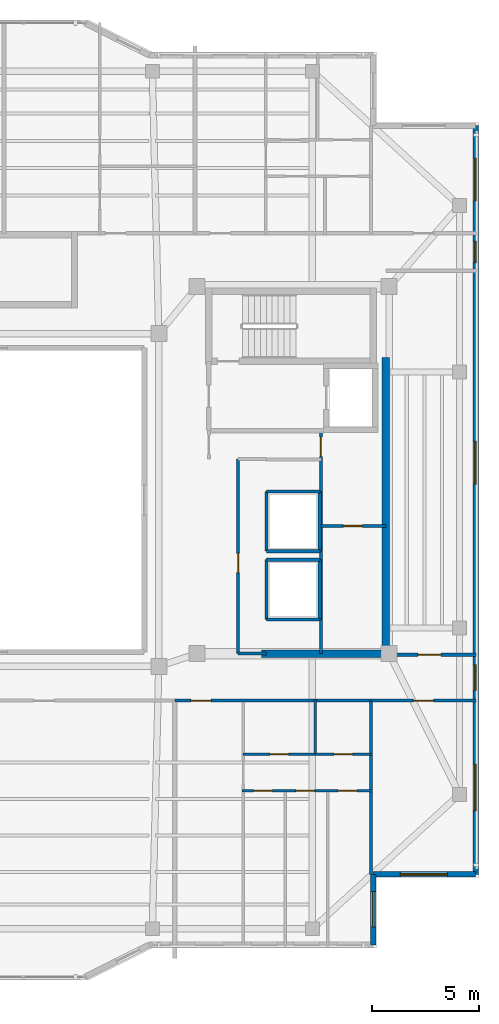
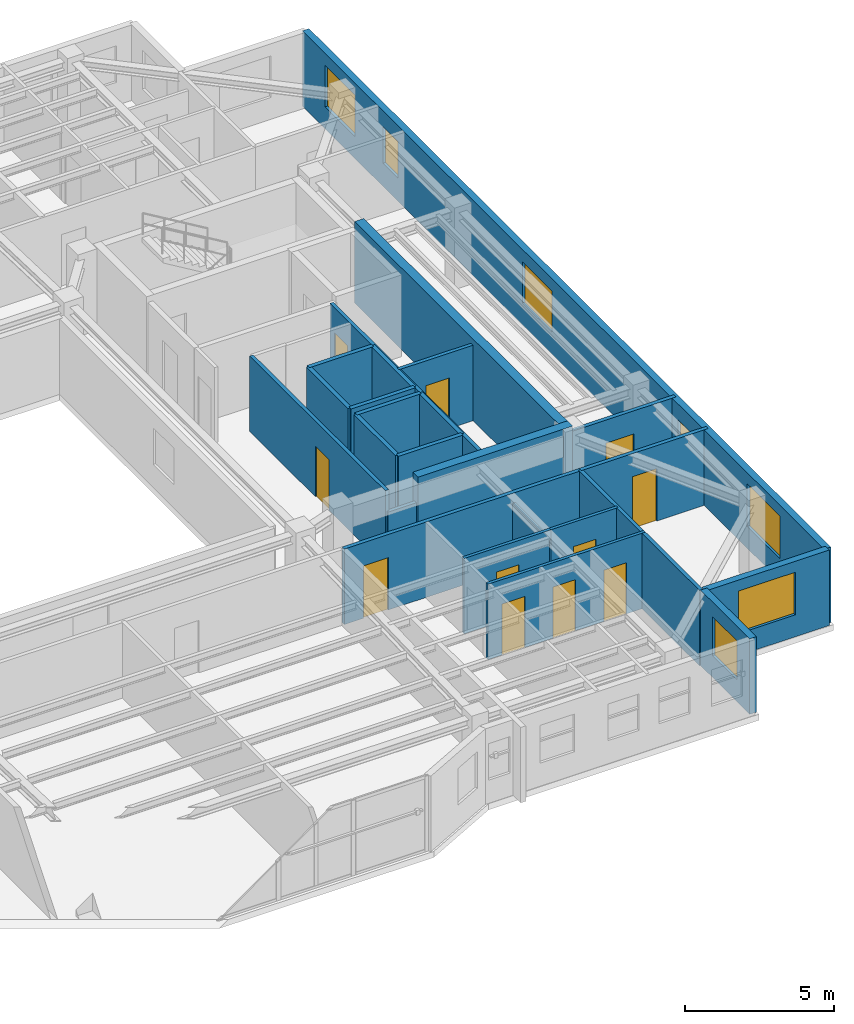
# One storey, part 8 of 14: 25 walls, 11 doors, 7 windows, 18 openings.
"""IFC4 building model written with IfcOpenShell, lengths in metres."""

from ifc_helpers import new_model, si_unit, direction, frame, frame_2d, origin, place, context, subcontext, project, spatial, rectangle, extrude, material, layer, layer_set, type_object, element, fill, save


model = new_model("IFC4")

# Units and contexts
model_context = context("Model", 3, precision=1e-05, world=origin(), true_north=direction((0.0, 1.0)))
body_context = subcontext(model_context, "Body", "Model", "MODEL_VIEW")
ifc_project = project(units=[si_unit("LENGTHUNIT", "METRE"), si_unit("AREAUNIT", "SQUARE_METRE"), si_unit("VOLUMEUNIT", "CUBIC_METRE"), si_unit("PLANEANGLEUNIT", "RADIAN"), si_unit("MASSUNIT", "GRAM", prefix="KILO")], contexts=[model_context])

# Site, building, storey
site_placement = place(None, origin())
site = spatial("IfcSite", under=ifc_project, at=site_placement, CompositionType="ELEMENT")
building_placement = place(site_placement, origin())
building = spatial("IfcBuilding", under=site, at=building_placement, Name="Tarnavaz Court Tower", CompositionType="ELEMENT")
storey_placement = place(building_placement, frame((0.0, 0.0, 254.89990234375)))
storey = spatial("IfcBuildingStorey", under=building, at=storey_placement, Name="L69", CompositionType="ELEMENT", Elevation=254.89990234375)

# Walls
ifc_material_1 = material(Name="Concrete C50/60", Category="concrete")
ifc_layer_1 = layer(ifc_material_1, 0.35009765625)
ifc_layer_set_1 = layer_set([ifc_layer_1], Name="Concrete C50/60")
wall_type_1 = type_object("IfcWallType", Name="WL-CORE-350-C50", PredefinedType="SHEAR", material=ifc_layer_set_1)
wall_1_placement = place(storey_placement, frame((18.449951171875, -7.375, 0.0), z_axis=(0.0, 0.0, 1.0), x_axis=(0.0, 1.0, 0.0)))
element("IfcWall", 1, at=wall_1_placement, inside=storey, type_object=wall_type_1, Name="L69 East Core Shear Wall 047", PredefinedType="SHEAR", context=body_context, shape_type="SweptSolid", body=[
    extrude(rectangle(XDim=14.050048828125, YDim=0.35009765625, at=frame_2d((7.02490234375, 0.0))), origin(), (0.0, 0.0, 1.0), 3.35009765625),
])
wall_2_placement = place(storey_placement, frame((12.625, -7.199951171875, 0.0), z_axis=(0.0, 0.0, 1.0), x_axis=(1.0, 0.0, 0.0)))
element("IfcWall", 2, at=wall_2_placement, inside=storey, type_object=wall_type_1, Name="L69 East Core South Shear Wall 048", PredefinedType="SHEAR", context=body_context, shape_type="SweptSolid", body=[
    extrude(rectangle(XDim=6.0, YDim=0.35009765625, at=frame_2d((3.0, 0.0))), origin(), (0.0, 0.0, 1.0), 3.35009765625),
])

# Wall, openings, windows
ifc_material_2 = material(Name="Precast Concrete C40/50", Category="concrete")
ifc_layer_2 = layer(ifc_material_2, 0.260009765625)
ifc_layer_set_2 = layer_set([ifc_layer_2], Name="Precast Concrete C40/50")
wall_type_2 = type_object("IfcWallType", Name="WL-EXT-260", PredefinedType="SOLIDWALL", material=ifc_layer_set_2)
wall_3_placement = place(storey_placement, frame((22.64990234375, 17.550048828125, 0.0), z_axis=(0.0, 0.0, 1.0), x_axis=(0.0, -1.0, 0.0)))
wall_3 = element("IfcWall", 3, at=wall_3_placement, inside=storey, type_object=wall_type_2, Name="L69 Exterior Terracotta Facade Wall 12", PredefinedType="SOLIDWALL", context=body_context, shape_type="SweptSolid", body=[
    extrude(rectangle(XDim=35.10009765625, YDim=0.260009765625, at=frame_2d((17.550048828125, 0.0))), origin(), (0.0, 0.0, 1.0), 3.10009765625),
])
opening_1_placement = place(wall_3_placement, frame((1.52490234375, 0.0, 0.89990234375)))
opening_1 = element("IfcOpeningElement", 4, at=opening_1_placement, cuts=wall_3, Name="Opening W08", PredefinedType="OPENING", context=body_context, shape_type="SweptSolid", body=[
    extrude(rectangle(XDim=2.0, YDim=1.699951171875, at=frame_2d((1.0, 0.85009765625))), frame((0.0, 0.139892578125, 0.0), z_axis=(0.0, -1.0, 0.0), x_axis=(1.0, 0.0, 0.0)), (0.0, 0.0, 1.0), 0.280029296875),
])
opening_2_placement = place(wall_3_placement, frame((5.425048828125, 0.0, 0.949951171875)))
opening_2 = element("IfcOpeningElement", 5, at=opening_2_placement, cuts=wall_3, Name="Opening W14", PredefinedType="OPENING", context=body_context, shape_type="SweptSolid", body=[
    extrude(rectangle(XDim=1.0, YDim=1.5, at=frame_2d((0.5, 0.75))), frame((0.0, 0.139892578125, 0.0), z_axis=(0.0, -1.0, 0.0), x_axis=(1.0, 0.0, 0.0)), (0.0, 0.0, 1.0), 0.280029296875),
])
opening_3_placement = place(wall_3_placement, frame((14.800048828125, 0.0, 0.89990234375)))
opening_3 = element("IfcOpeningElement", 6, at=opening_3_placement, cuts=wall_3, Name="Opening W08", PredefinedType="OPENING", context=body_context, shape_type="SweptSolid", body=[
    extrude(rectangle(XDim=2.0, YDim=1.699951171875, at=frame_2d((1.0, 0.85009765625))), frame((0.0, 0.139892578125, 0.0), z_axis=(0.0, -1.0, 0.0), x_axis=(1.0, 0.0, 0.0)), (0.0, 0.0, 1.0), 0.280029296875),
])
opening_4_placement = place(wall_3_placement, frame((25.27490234375, 0.0, 0.949951171875)))
opening_4 = element("IfcOpeningElement", 7, at=opening_4_placement, cuts=wall_3, Name="Opening W05", PredefinedType="OPENING", context=body_context, shape_type="SweptSolid", body=[
    extrude(rectangle(XDim=1.199951171875, YDim=1.5, at=frame_2d((0.60009765625, 0.75))), frame((0.0, 0.139892578125, 0.0), z_axis=(0.0, -1.0, 0.0), x_axis=(1.0, 0.0, 0.0)), (0.0, 0.0, 1.0), 0.280029296875),
])
opening_5_placement = place(wall_3_placement, frame((29.925048828125, 0.0, 0.89990234375)))
opening_5 = element("IfcOpeningElement", 8, at=opening_5_placement, cuts=wall_3, Name="Opening W07", PredefinedType="OPENING", context=body_context, shape_type="SweptSolid", body=[
    extrude(rectangle(XDim=2.199951171875, YDim=1.75, at=frame_2d((1.10009765625, 0.875))), frame((0.0, 0.139892578125, 0.0), z_axis=(0.0, -1.0, 0.0), x_axis=(1.0, 0.0, 0.0)), (0.0, 0.0, 1.0), 0.280029296875),
])
ifc_material_3 = material(Name="Double-Glazed Solar Low-E Glass", Category="glass")
window_type_1 = type_object("IfcWindowType", Name="WN-APT-1000", PartitioningType="SINGLE_PANEL", PredefinedType="WINDOW", material=ifc_material_3)
window_1_placement = place(opening_2_placement, origin())
window_1 = element("IfcWindow", 9, at=window_1_placement, inside=storey, type_object=window_type_1, Name="L69 North-East Corner Corridor Window", OverallHeight=1.5, OverallWidth=1.0, PartitioningType="SINGLE_PANEL", PredefinedType="WINDOW", context=body_context, shape_type="SweptSolid", body=[
    extrude(rectangle(XDim=1.0, YDim=1.5, at=frame_2d((0.5, 0.75))), frame((0.0, 0.030029296875, 0.0), z_axis=(0.0, -1.0, 0.0), x_axis=(1.0, 0.0, 0.0)), (0.0, 0.0, 1.0), 0.06005859375),
])
fill(opening_2, window_1)
window_type_2 = type_object("IfcWindowType", Name="WN-APT-1200", PartitioningType="SINGLE_PANEL", PredefinedType="WINDOW", material=ifc_material_3)
window_2_placement = place(opening_4_placement, origin())
window_2 = element("IfcWindow", 10, at=window_2_placement, inside=storey, type_object=window_type_2, Name="L69 South-East Corner Corridor Window", OverallHeight=1.5, OverallWidth=1.199951171875, PartitioningType="SINGLE_PANEL", PredefinedType="WINDOW", context=body_context, shape_type="SweptSolid", body=[
    extrude(rectangle(XDim=1.199951171875, YDim=1.5, at=frame_2d((0.60009765625, 0.75))), frame((0.0, 0.030029296875, 0.0), z_axis=(0.0, -1.0, 0.0), x_axis=(1.0, 0.0, 0.0)), (0.0, 0.0, 1.0), 0.06005859375),
])
fill(opening_4, window_2)
window_type_3 = type_object("IfcWindowType", Name="WN-APT-2000", PartitioningType="DOUBLE_PANEL_VERTICAL", PredefinedType="WINDOW", material=ifc_material_3)
window_3_placement = place(opening_1_placement, origin())
window_3 = element("IfcWindow", 11, at=window_3_placement, inside=storey, type_object=window_type_3, Name="L69 North-East Corner Sunroom Study Window", OverallHeight=1.699951171875, OverallWidth=2.0, PartitioningType="SINGLE_PANEL", PredefinedType="WINDOW", context=body_context, shape_type="SweptSolid", body=[
    extrude(rectangle(XDim=2.0, YDim=1.699951171875, at=frame_2d((1.0, 0.85009765625))), frame((0.0, 0.030029296875, 0.0), z_axis=(0.0, -1.0, 0.0), x_axis=(1.0, 0.0, 0.0)), (0.0, 0.0, 1.0), 0.06005859375),
])
fill(opening_1, window_3)
window_4_placement = place(opening_3_placement, origin())
window_4 = element("IfcWindow", 12, at=window_4_placement, inside=storey, type_object=window_type_3, Name="L69 East Wing Daycare Playroom Window", OverallHeight=1.699951171875, OverallWidth=2.0, PartitioningType="SINGLE_PANEL", PredefinedType="WINDOW", context=body_context, shape_type="SweptSolid", body=[
    extrude(rectangle(XDim=2.0, YDim=1.699951171875, at=frame_2d((1.0, 0.85009765625))), frame((0.0, 0.030029296875, 0.0), z_axis=(0.0, -1.0, 0.0), x_axis=(1.0, 0.0, 0.0)), (0.0, 0.0, 1.0), 0.06005859375),
])
fill(opening_3, window_4)
window_type_4 = type_object("IfcWindowType", Name="WN-APT-2200", PartitioningType="TRIPLE_PANEL_VERTICAL", PredefinedType="WINDOW", material=ifc_material_3)
window_5_placement = place(opening_5_placement, origin())
window_5 = element("IfcWindow", 13, at=window_5_placement, inside=storey, type_object=window_type_4, Name="L69 South-East Corner Reading Room Window", OverallHeight=1.75, OverallWidth=2.199951171875, PartitioningType="SINGLE_PANEL", PredefinedType="WINDOW", context=body_context, shape_type="SweptSolid", body=[
    extrude(rectangle(XDim=2.199951171875, YDim=1.75, at=frame_2d((1.10009765625, 0.875))), frame((0.0, 0.030029296875, 0.0), z_axis=(0.0, -1.0, 0.0), x_axis=(1.0, 0.0, 0.0)), (0.0, 0.0, 1.0), 0.06005859375),
])
fill(opening_5, window_5)

# Wall, opening, window
wall_4_placement = place(storey_placement, frame((22.64990234375, -17.550048828125, 0.0), z_axis=(0.0, 0.0, 1.0), x_axis=(-1.0, 0.0, 0.0)))
wall_4 = element("IfcWall", 14, at=wall_4_placement, inside=storey, type_object=wall_type_2, Name="L69 Exterior Terracotta Facade Wall 13", PredefinedType="SOLIDWALL", context=body_context, shape_type="SweptSolid", body=[
    extrude(rectangle(XDim=4.7998046875, YDim=0.260009765625, at=frame_2d((2.39990234375, 0.0))), origin(), (0.0, 0.0, 1.0), 3.10009765625),
])
opening_6_placement = place(wall_4_placement, frame((1.3251953125, 0.0, 0.89990234375)))
opening_6 = element("IfcOpeningElement", 15, at=opening_6_placement, cuts=wall_4, Name="Opening W07", PredefinedType="OPENING", context=body_context, shape_type="SweptSolid", body=[
    extrude(rectangle(XDim=2.199951171875, YDim=1.75, at=frame_2d((1.10009765625, 0.875))), frame((0.0, 0.139892578125, 0.0), z_axis=(0.0, -1.0, 0.0), x_axis=(1.0, 0.0, 0.0)), (0.0, 0.0, 1.0), 0.280029296875),
])
window_6_placement = place(opening_6_placement, origin())
window_6 = element("IfcWindow", 16, at=window_6_placement, inside=storey, type_object=window_type_4, Name="L69 South-East Corner Reading Room Window", OverallHeight=1.75, OverallWidth=2.199951171875, PartitioningType="SINGLE_PANEL", PredefinedType="WINDOW", context=body_context, shape_type="SweptSolid", body=[
    extrude(rectangle(XDim=2.199951171875, YDim=1.75, at=frame_2d((1.10009765625, 0.875))), frame((0.0, 0.030029296875, 0.0), z_axis=(0.0, -1.0, 0.0), x_axis=(1.0, 0.0, 0.0)), (0.0, 0.0, 1.0), 0.06005859375),
])
fill(opening_6, window_6)

wall_5_placement = place(storey_placement, frame((17.85009765625, -17.550048828125, 0.0), z_axis=(0.0, 0.0, 1.0), x_axis=(0.0, -1.0, 0.0)))
wall_5 = element("IfcWall", 17, at=wall_5_placement, inside=storey, type_object=wall_type_2, Name="L69 Exterior Terracotta Facade Wall 14", PredefinedType="SOLIDWALL", context=body_context, shape_type="SweptSolid", body=[
    extrude(rectangle(XDim=3.300048828125, YDim=0.260009765625, at=frame_2d((1.64990234375, 0.0))), origin(), (0.0, 0.0, 1.0), 3.10009765625),
])
opening_7_placement = place(wall_5_placement, frame((0.8076171875, 0.0, 0.89990234375)))
opening_7 = element("IfcOpeningElement", 18, at=opening_7_placement, cuts=wall_5, Name="Opening W02", PredefinedType="OPENING", context=body_context, shape_type="SweptSolid", body=[
    extrude(rectangle(XDim=1.64990234375, YDim=1.60009765625, at=frame_2d((0.824951171875, 0.800048828125))), frame((0.0, 0.139892578125, 0.0), z_axis=(0.0, -1.0, 0.0), x_axis=(1.0, 0.0, 0.0)), (0.0, 0.0, 1.0), 0.280029296875),
])
window_type_5 = type_object("IfcWindowType", Name="WN-APT-1650", PartitioningType="DOUBLE_PANEL_VERTICAL", PredefinedType="WINDOW", material=ifc_material_3)
window_7_placement = place(opening_7_placement, origin())
window_7 = element("IfcWindow", 19, at=window_7_placement, inside=storey, type_object=window_type_5, Name="L69 Flat 05 Bedroom 3 Window", OverallHeight=1.60009765625, OverallWidth=1.64990234375, PartitioningType="SINGLE_PANEL", PredefinedType="WINDOW", context=body_context, shape_type="SweptSolid", body=[
    extrude(rectangle(XDim=1.64990234375, YDim=1.60009765625, at=frame_2d((0.824951171875, 0.800048828125))), frame((0.0, 0.030029296875, 0.0), z_axis=(0.0, -1.0, 0.0), x_axis=(1.0, 0.0, 0.0)), (0.0, 0.0, 1.0), 0.06005859375),
])
fill(opening_7, window_7)

# Wall, opening, door
ifc_material_4 = material(Name="Gypsum Fire-Board on Acoustic Metal Stud", Category="masonry")
ifc_layer_3 = layer(ifc_material_4, 0.14990234375)
ifc_layer_set_3 = layer_set([ifc_layer_3], Name="Gypsum Fire-Board on Acoustic Metal Stud")
wall_type_3 = type_object("IfcWallType", Name="WL-FIRE-150", PredefinedType="PARTITIONING", material=ifc_layer_set_3)
wall_6_placement = place(storey_placement, frame((8.550048828125, -9.39990234375, 0.0), z_axis=(0.0, 0.0, 1.0), x_axis=(1.0, 0.0, 0.0)))
wall_6 = element("IfcWall", 20, at=wall_6_placement, inside=storey, type_object=wall_type_3, Name="L69 SE Lobby Wall 063", PredefinedType="PARTITIONING", context=body_context, shape_type="SweptSolid", body=[
    extrude(rectangle(XDim=9.199951171875, YDim=0.14990234375, at=frame_2d((4.60009765625, 0.0))), origin(), (0.0, 0.0, 1.0), 3.10009765625),
])
opening_8_placement = place(wall_6_placement, frame((0.75, 0.0, 0.0)))
opening_8 = element("IfcOpeningElement", 21, at=opening_8_placement, cuts=wall_6, Name="Opening D06", PredefinedType="OPENING", context=body_context, shape_type="SweptSolid", body=[
    extrude(rectangle(XDim=0.9599609375, YDim=2.14990234375, at=frame_2d((0.47998046875, 1.074951171875))), frame((0.0, 0.0849609375, 0.0), z_axis=(0.0, -1.0, 0.0), x_axis=(1.0, 0.0, 0.0)), (0.0, 0.0, 1.0), 0.169921875),
])
ifc_material_5 = material(Name="Fire-Rated Hardwood Timber Core", Category="wood")
door_type_1 = type_object("IfcDoorType", Name="DR-FD60-950", OperationType="NOTDEFINED", PredefinedType="DOOR", material=ifc_material_5)
door_1_placement = place(opening_8_placement, origin())
door_1 = element("IfcDoor", 22, at=door_1_placement, inside=storey, type_object=door_type_1, Name="L69 Flat 05 Entrance Door", OperationType="SINGLE_SWING_LEFT", OverallHeight=2.14990234375, OverallWidth=0.9599609375, PredefinedType="DOOR", context=body_context, shape_type="SweptSolid", body=[
    extrude(rectangle(XDim=0.9599609375, YDim=2.14990234375, at=frame_2d((0.47998046875, 1.074951171875))), frame((0.0, 0.02490234375, 0.0), z_axis=(0.0, -1.0, 0.0), x_axis=(1.0, 0.0, 0.0)), (0.0, 0.0, 1.0), 0.050048828125),
])
fill(opening_8, door_1)

wall_7_placement = place(storey_placement, frame((18.449951171875, -7.25, 0.0), z_axis=(0.0, 0.0, 1.0), x_axis=(1.0, 0.0, 0.0)))
wall_7 = element("IfcWall", 23, at=wall_7_placement, inside=storey, type_object=wall_type_3, Name="L69 Interior Partition 098", PredefinedType="PARTITIONING", context=body_context, shape_type="SweptSolid", body=[
    extrude(rectangle(XDim=4.22998046875, YDim=0.14990234375, at=frame_2d((2.114990234375, 0.0))), origin(), (0.0, 0.0, 1.0), 3.10009765625),
])
opening_9_placement = place(wall_7_placement, frame((1.5, 0.0, 0.0)))
opening_9 = element("IfcOpeningElement", 24, at=opening_9_placement, cuts=wall_7, Name="Opening D12", PredefinedType="OPENING", context=body_context, shape_type="SweptSolid", body=[
    extrude(rectangle(XDim=1.080078125, YDim=2.14990234375, at=frame_2d((0.5400390625, 1.074951171875))), frame((0.0, 0.0849609375, 0.0), z_axis=(0.0, -1.0, 0.0), x_axis=(1.0, 0.0, 0.0)), (0.0, 0.0, 1.0), 0.169921875),
])
ifc_material_6 = material(Name="Engineered Oak Timber", Category="wood")
door_type_2 = type_object("IfcDoorType", Name="DR-INT-1100", OperationType="NOTDEFINED", PredefinedType="DOOR", material=ifc_material_6)
door_2_placement = place(opening_9_placement, origin())
door_2 = element("IfcDoor", 25, at=door_2_placement, inside=storey, type_object=door_type_2, Name="L69 East Daycare Playroom Door", OperationType="SINGLE_SWING_LEFT", OverallHeight=2.14990234375, OverallWidth=1.080078125, PredefinedType="DOOR", context=body_context, shape_type="SweptSolid", body=[
    extrude(rectangle(XDim=1.080078125, YDim=2.14990234375, at=frame_2d((0.5400390625, 1.074951171875))), frame((0.0, 0.02490234375, 0.0), z_axis=(0.0, -1.0, 0.0), x_axis=(1.0, 0.0, 0.0)), (0.0, 0.0, 1.0), 0.050048828125),
])
fill(opening_9, door_2)

wall_8_placement = place(storey_placement, frame((17.75, -9.39990234375, 0.0), z_axis=(0.0, 0.0, 1.0), x_axis=(1.0, 0.0, 0.0)))
wall_8 = element("IfcWall", 26, at=wall_8_placement, inside=storey, type_object=wall_type_3, Name="L69 Interior Partition 107", PredefinedType="PARTITIONING", context=body_context, shape_type="SweptSolid", body=[
    extrude(rectangle(XDim=4.929931640625, YDim=0.14990234375, at=frame_2d((2.46484375, 0.0))), origin(), (0.0, 0.0, 1.0), 3.10009765625),
])
opening_10_placement = place(wall_8_placement, frame((1.989990234375, 0.0, 0.0)))
opening_10 = element("IfcOpeningElement", 27, at=opening_10_placement, cuts=wall_8, Name="Opening D13", PredefinedType="OPENING", context=body_context, shape_type="SweptSolid", body=[
    extrude(rectangle(XDim=0.949951171875, YDim=2.14990234375, at=frame_2d((0.47509765625, 1.074951171875))), frame((0.0, 0.0849609375, 0.0), z_axis=(0.0, -1.0, 0.0), x_axis=(1.0, 0.0, 0.0)), (0.0, 0.0, 1.0), 0.169921875),
])
door_type_3 = type_object("IfcDoorType", Name="DR-INT-950", OperationType="NOTDEFINED", PredefinedType="DOOR", material=ifc_material_6)
door_3_placement = place(opening_10_placement, origin())
door_3 = element("IfcDoor", 28, at=door_3_placement, inside=storey, type_object=door_type_3, Name="L69 SE Reading Room Door", OperationType="SINGLE_SWING_LEFT", OverallHeight=2.14990234375, OverallWidth=0.949951171875, PredefinedType="DOOR", context=body_context, shape_type="SweptSolid", body=[
    extrude(rectangle(XDim=0.949951171875, YDim=2.14990234375, at=frame_2d((0.47509765625, 1.074951171875))), frame((0.0, 0.02490234375, 0.0), z_axis=(0.0, -1.0, 0.0), x_axis=(1.0, 0.0, 0.0)), (0.0, 0.0, 1.0), 0.050048828125),
])
fill(opening_10, door_3)

ifc_material_7 = material(Name="Moisture-Resistant Gypsum Board Partition", Category="masonry")
ifc_layer_4 = layer(ifc_material_7, 0.1201171875)
ifc_layer_set_4 = layer_set([ifc_layer_4], Name="Moisture-Resistant Gypsum Board Partition")
wall_type_4 = type_object("IfcWallType", Name="WL-PART-120", PredefinedType="PARTITIONING", material=ifc_layer_set_4)
wall_9_placement = place(storey_placement, frame((11.760009765625, -11.909912109375, 0.0), z_axis=(0.0, 0.0, 1.0), x_axis=(1.0, 0.0, 0.0)))
wall_9 = element("IfcWall", 29, at=wall_9_placement, inside=storey, type_object=wall_type_4, Name="L69 Interior Partition 086", PredefinedType="PARTITIONING", context=body_context, shape_type="SweptSolid", body=[
    extrude(rectangle(XDim=3.3798828125, YDim=0.1201171875, at=frame_2d((1.68994140625, 0.0))), origin(), (0.0, 0.0, 1.0), 3.10009765625),
])
opening_11_placement = place(wall_9_placement, frame((1.25, 0.0, 0.0)))
opening_11 = element("IfcOpeningElement", 30, at=opening_11_placement, cuts=wall_9, Name="Opening D14", PredefinedType="OPENING", context=body_context, shape_type="SweptSolid", body=[
    extrude(rectangle(XDim=0.8798828125, YDim=2.10009765625, at=frame_2d((0.43994140625, 1.050048828125))), frame((0.0, 0.070068359375, 0.0), z_axis=(0.0, -1.0, 0.0), x_axis=(1.0, 0.0, 0.0)), (0.0, 0.0, 1.0), 0.14013671875),
])
door_type_4 = type_object("IfcDoorType", Name="DR-INT-900", OperationType="NOTDEFINED", PredefinedType="DOOR", material=ifc_material_6)
door_4_placement = place(opening_11_placement, origin())
door_4 = element("IfcDoor", 31, at=door_4_placement, inside=storey, type_object=door_type_4, Name="L69 Flat 05 Kitchen Door", OperationType="SINGLE_SWING_LEFT", OverallHeight=2.10009765625, OverallWidth=0.8798828125, PredefinedType="DOOR", context=body_context, shape_type="SweptSolid", body=[
    extrude(rectangle(XDim=0.8798828125, YDim=2.10009765625, at=frame_2d((0.43994140625, 1.050048828125))), frame((0.0, 0.02490234375, 0.0), z_axis=(0.0, -1.0, 0.0), x_axis=(1.0, 0.0, 0.0)), (0.0, 0.0, 1.0), 0.050048828125),
])
fill(opening_11, door_4)

wall_10_placement = place(storey_placement, frame((15.139892578125, -11.909912109375, 0.0), z_axis=(0.0, 0.0, 1.0), x_axis=(1.0, 0.0, 0.0)))
wall_10 = element("IfcWall", 32, at=wall_10_placement, inside=storey, type_object=wall_type_4, Name="L69 Interior Partition 087", PredefinedType="PARTITIONING", context=body_context, shape_type="SweptSolid", body=[
    extrude(rectangle(XDim=2.610107421875, YDim=0.1201171875, at=frame_2d((1.30517578125, 0.0))), origin(), (0.0, 0.0, 1.0), 3.10009765625),
])
opening_12_placement = place(wall_10_placement, frame((0.864990234375, 0.0, 0.0)))
opening_12 = element("IfcOpeningElement", 33, at=opening_12_placement, cuts=wall_10, Name="Opening D14", PredefinedType="OPENING", context=body_context, shape_type="SweptSolid", body=[
    extrude(rectangle(XDim=0.8798828125, YDim=2.10009765625, at=frame_2d((0.43994140625, 1.050048828125))), frame((0.0, 0.070068359375, 0.0), z_axis=(0.0, -1.0, 0.0), x_axis=(1.0, 0.0, 0.0)), (0.0, 0.0, 1.0), 0.14013671875),
])
door_5_placement = place(opening_12_placement, origin())
door_5 = element("IfcDoor", 34, at=door_5_placement, inside=storey, type_object=door_type_4, Name="L69 Flat 05 Bathroom Door", OperationType="SINGLE_SWING_RIGHT", OverallHeight=2.10009765625, OverallWidth=0.8798828125, PredefinedType="DOOR", context=body_context, shape_type="SweptSolid", body=[
    extrude(rectangle(XDim=0.8798828125, YDim=2.10009765625, at=frame_2d((0.43994140625, 1.050048828125))), frame((0.0, 0.02490234375, 0.0), z_axis=(0.0, -1.0, 0.0), x_axis=(1.0, 0.0, 0.0)), (0.0, 0.0, 1.0), 0.050048828125),
])
fill(opening_12, door_5)

# Wall, openings, doors
wall_11_placement = place(storey_placement, frame((11.699951171875, -13.6201171875, 0.0), z_axis=(0.0, 0.0, 1.0), x_axis=(1.0, 0.0, 0.0)))
wall_11 = element("IfcWall", 35, at=wall_11_placement, inside=storey, type_object=wall_type_4, Name="L69 Interior Partition 088", PredefinedType="PARTITIONING", context=body_context, shape_type="SweptSolid", body=[
    extrude(rectangle(XDim=6.110107421875, YDim=0.1201171875, at=frame_2d((3.05517578125, 0.0))), origin(), (0.0, 0.0, 1.0), 3.10009765625),
])
opening_13_placement = place(wall_11_placement, frame((0.548095703125, 0.0, 0.0)))
opening_13 = element("IfcOpeningElement", 36, at=opening_13_placement, cuts=wall_11, Name="Opening D14", PredefinedType="OPENING", context=body_context, shape_type="SweptSolid", body=[
    extrude(rectangle(XDim=0.8798828125, YDim=2.10009765625, at=frame_2d((0.43994140625, 1.050048828125))), frame((0.0, 0.070068359375, 0.0), z_axis=(0.0, -1.0, 0.0), x_axis=(1.0, 0.0, 0.0)), (0.0, 0.0, 1.0), 0.14013671875),
])
opening_14_placement = place(wall_11_placement, frame((2.52490234375, 0.0, 0.0)))
opening_14 = element("IfcOpeningElement", 37, at=opening_14_placement, cuts=wall_11, Name="Opening D14", PredefinedType="OPENING", context=body_context, shape_type="SweptSolid", body=[
    extrude(rectangle(XDim=0.8798828125, YDim=2.10009765625, at=frame_2d((0.43994140625, 1.050048828125))), frame((0.0, 0.070068359375, 0.0), z_axis=(0.0, -1.0, 0.0), x_axis=(1.0, 0.0, 0.0)), (0.0, 0.0, 1.0), 0.14013671875),
])
opening_15_placement = place(wall_11_placement, frame((4.501953125, 0.0, 0.0)))
opening_15 = element("IfcOpeningElement", 38, at=opening_15_placement, cuts=wall_11, Name="Opening D14", PredefinedType="OPENING", context=body_context, shape_type="SweptSolid", body=[
    extrude(rectangle(XDim=0.8798828125, YDim=2.10009765625, at=frame_2d((0.43994140625, 1.050048828125))), frame((0.0, 0.070068359375, 0.0), z_axis=(0.0, -1.0, 0.0), x_axis=(1.0, 0.0, 0.0)), (0.0, 0.0, 1.0), 0.14013671875),
])
door_6_placement = place(opening_13_placement, origin())
door_6 = element("IfcDoor", 39, at=door_6_placement, inside=storey, type_object=door_type_4, Name="L69 Flat 05 Bedroom 1 Door", OperationType="SINGLE_SWING_LEFT", OverallHeight=2.10009765625, OverallWidth=0.8798828125, PredefinedType="DOOR", context=body_context, shape_type="SweptSolid", body=[
    extrude(rectangle(XDim=0.8798828125, YDim=2.10009765625, at=frame_2d((0.43994140625, 1.050048828125))), frame((0.0, 0.02490234375, 0.0), z_axis=(0.0, -1.0, 0.0), x_axis=(1.0, 0.0, 0.0)), (0.0, 0.0, 1.0), 0.050048828125),
])
fill(opening_13, door_6)
door_7_placement = place(opening_14_placement, origin())
door_7 = element("IfcDoor", 40, at=door_7_placement, inside=storey, type_object=door_type_4, Name="L69 Flat 05 Bedroom 2 Door", OperationType="SINGLE_SWING_RIGHT", OverallHeight=2.10009765625, OverallWidth=0.8798828125, PredefinedType="DOOR", context=body_context, shape_type="SweptSolid", body=[
    extrude(rectangle(XDim=0.8798828125, YDim=2.10009765625, at=frame_2d((0.43994140625, 1.050048828125))), frame((0.0, 0.02490234375, 0.0), z_axis=(0.0, -1.0, 0.0), x_axis=(1.0, 0.0, 0.0)), (0.0, 0.0, 1.0), 0.050048828125),
])
fill(opening_14, door_7)
door_8_placement = place(opening_15_placement, origin())
door_8 = element("IfcDoor", 41, at=door_8_placement, inside=storey, type_object=door_type_4, Name="L69 Flat 05 Bedroom 3 Door", OperationType="SINGLE_SWING_LEFT", OverallHeight=2.10009765625, OverallWidth=0.8798828125, PredefinedType="DOOR", context=body_context, shape_type="SweptSolid", body=[
    extrude(rectangle(XDim=0.8798828125, YDim=2.10009765625, at=frame_2d((0.43994140625, 1.050048828125))), frame((0.0, 0.02490234375, 0.0), z_axis=(0.0, -1.0, 0.0), x_axis=(1.0, 0.0, 0.0)), (0.0, 0.0, 1.0), 0.050048828125),
])
fill(opening_15, door_8)

# Wall
wall_12_placement = place(storey_placement, frame((15.139892578125, -11.969970703125, 0.0), z_axis=(0.0, 0.0, 1.0), x_axis=(0.0, 1.0, 0.0)))
element("IfcWall", 42, at=wall_12_placement, inside=storey, type_object=wall_type_4, Name="L69 Interior Partition 089", PredefinedType="PARTITIONING", context=body_context, shape_type="SweptSolid", body=[
    extrude(rectangle(XDim=2.6298828125, YDim=0.1201171875, at=frame_2d((1.31494140625, 0.0))), origin(), (0.0, 0.0, 1.0), 2.68505859375),
])

# Wall, opening, door
ifc_material_8 = material(Name="Gypsum Plasterboard Acoustic Partition", Category="masonry")
ifc_layer_5 = layer(ifc_material_8, 0.139892578125)
ifc_layer_set_5 = layer_set([ifc_layer_5], Name="Gypsum Plasterboard Acoustic Partition")
wall_type_5 = type_object("IfcWallType", Name="WL-PART-150", PredefinedType="PARTITIONING", material=ifc_layer_set_5)
wall_13_placement = place(storey_placement, frame((15.39990234375, -7.199951171875, 0.0), z_axis=(0.0, 0.0, 1.0), x_axis=(0.0, 1.0, 0.0)))
wall_13 = element("IfcWall", 43, at=wall_13_placement, inside=storey, type_object=wall_type_5, Name="L69 Interior Partition 055", PredefinedType="PARTITIONING", context=body_context, shape_type="SweptSolid", body=[
    extrude(rectangle(XDim=10.449951171875, YDim=0.139892578125, at=frame_2d((5.22509765625, 0.0))), origin(), (0.0, 0.0, 1.0), 3.10009765625),
])
opening_16_placement = place(wall_13_placement, frame((9.25, 0.0, 0.0)))
opening_16 = element("IfcOpeningElement", 44, at=opening_16_placement, cuts=wall_13, Name="Opening D09", PredefinedType="OPENING", context=body_context, shape_type="SweptSolid", body=[
    extrude(rectangle(XDim=0.89990234375, YDim=2.080078125, at=frame_2d((0.449951171875, 1.0400390625))), frame((0.0, 0.079833984375, 0.0), z_axis=(0.0, -1.0, 0.0), x_axis=(1.0, 0.0, 0.0)), (0.0, 0.0, 1.0), 0.159912109375),
])
door_type_5 = type_object("IfcDoorType", Name="DR-FD30-900", OperationType="NOTDEFINED", PredefinedType="DOOR", material=ifc_material_5)
door_9_placement = place(opening_16_placement, origin())
door_9 = element("IfcDoor", 45, at=door_9_placement, inside=storey, type_object=door_type_5, Name="L69 East Wet Riser Door", OperationType="SINGLE_SWING_LEFT", OverallHeight=2.080078125, OverallWidth=0.89990234375, PredefinedType="DOOR", context=body_context, shape_type="SweptSolid", body=[
    extrude(rectangle(XDim=0.89990234375, YDim=2.080078125, at=frame_2d((0.449951171875, 1.0400390625))), frame((0.0, 0.02490234375, 0.0), z_axis=(0.0, -1.0, 0.0), x_axis=(1.0, 0.0, 0.0)), (0.0, 0.0, 1.0), 0.050048828125),
])
fill(opening_16, door_9)

wall_14_placement = place(storey_placement, frame((15.39990234375, -1.219970703125, 0.0), z_axis=(0.0, 0.0, 1.0), x_axis=(1.0, 0.0, 0.0)))
wall_14 = element("IfcWall", 46, at=wall_14_placement, inside=storey, type_object=wall_type_5, Name="L69 Interior Partition 056", PredefinedType="PARTITIONING", context=body_context, shape_type="SweptSolid", body=[
    extrude(rectangle(XDim=3.050048828125, YDim=0.139892578125, at=frame_2d((1.52490234375, 0.0))), origin(), (0.0, 0.0, 1.0), 3.10009765625),
])
opening_17_placement = place(wall_14_placement, frame((1.050048828125, 0.0, 0.0)))
opening_17 = element("IfcOpeningElement", 47, at=opening_17_placement, cuts=wall_14, Name="Opening D09", PredefinedType="OPENING", context=body_context, shape_type="SweptSolid", body=[
    extrude(rectangle(XDim=0.89990234375, YDim=2.080078125, at=frame_2d((0.449951171875, 1.0400390625))), frame((0.0, 0.079833984375, 0.0), z_axis=(0.0, -1.0, 0.0), x_axis=(1.0, 0.0, 0.0)), (0.0, 0.0, 1.0), 0.159912109375),
])
door_10_placement = place(opening_17_placement, origin())
door_10 = element("IfcDoor", 48, at=door_10_placement, inside=storey, type_object=door_type_5, Name="L69 East Electrical Plant Door", OperationType="SINGLE_SWING_RIGHT", OverallHeight=2.080078125, OverallWidth=0.89990234375, PredefinedType="DOOR", context=body_context, shape_type="SweptSolid", body=[
    extrude(rectangle(XDim=0.89990234375, YDim=2.080078125, at=frame_2d((0.449951171875, 1.0400390625))), frame((0.0, 0.02490234375, 0.0), z_axis=(0.0, -1.0, 0.0), x_axis=(1.0, 0.0, 0.0)), (0.0, 0.0, 1.0), 0.050048828125),
])
fill(opening_17, door_10)

wall_15_placement = place(storey_placement, frame((11.52001953125, -7.199951171875, 0.0), z_axis=(0.0, 0.0, 1.0), x_axis=(0.0, 1.0, 0.0)))
wall_15 = element("IfcWall", 49, at=wall_15_placement, inside=storey, type_object=wall_type_5, Name="L69 Interior Partition 057", PredefinedType="PARTITIONING", context=body_context, shape_type="SweptSolid", body=[
    extrude(rectangle(XDim=9.119873046875, YDim=0.139892578125, at=frame_2d((4.56005859375, 0.0))), origin(), (0.0, 0.0, 1.0), 3.10009765625),
])
opening_18_placement = place(wall_15_placement, frame((3.800048828125, 0.0, 0.0)))
opening_18 = element("IfcOpeningElement", 50, at=opening_18_placement, cuts=wall_15, Name="Opening D09", PredefinedType="OPENING", context=body_context, shape_type="SweptSolid", body=[
    extrude(rectangle(XDim=0.89990234375, YDim=2.080078125, at=frame_2d((0.449951171875, 1.0400390625))), frame((0.0, 0.079833984375, 0.0), z_axis=(0.0, -1.0, 0.0), x_axis=(1.0, 0.0, 0.0)), (0.0, 0.0, 1.0), 0.159912109375),
])
door_11_placement = place(opening_18_placement, origin())
door_11 = element("IfcDoor", 51, at=door_11_placement, inside=storey, type_object=door_type_5, Name="L69 East Sky Core Store Door", OperationType="SINGLE_SWING_LEFT", OverallHeight=2.080078125, OverallWidth=0.89990234375, PredefinedType="DOOR", context=body_context, shape_type="SweptSolid", body=[
    extrude(rectangle(XDim=0.89990234375, YDim=2.080078125, at=frame_2d((0.449951171875, 1.0400390625))), frame((0.0, 0.02490234375, 0.0), z_axis=(0.0, -1.0, 0.0), x_axis=(1.0, 0.0, 0.0)), (0.0, 0.0, 1.0), 0.050048828125),
])
fill(opening_18, door_11)

# Walls
wall_16_placement = place(storey_placement, frame((11.52001953125, -7.199951171875, 0.0), z_axis=(0.0, 0.0, 1.0), x_axis=(1.0, 0.0, 0.0)))
element("IfcWall", 52, at=wall_16_placement, inside=storey, type_object=wall_type_5, Name="L69 Interior Partition 059", PredefinedType="PARTITIONING", context=body_context, shape_type="SweptSolid", body=[
    extrude(rectangle(XDim=1.330078125, YDim=0.139892578125, at=frame_2d((0.6650390625, 0.0))), origin(), (0.0, 0.0, 1.0), 2.235107421875),
])
wall_17_placement = place(storey_placement, frame((17.75, -17.550048828125, 0.0), z_axis=(0.0, 0.0, 1.0), x_axis=(0.0, 1.0, 0.0)))
element("IfcWall", 53, at=wall_17_placement, inside=storey, type_object=wall_type_5, Name="L69 Interior Partition 101", PredefinedType="PARTITIONING", context=body_context, shape_type="SweptSolid", body=[
    extrude(rectangle(XDim=8.150146484375, YDim=0.139892578125, at=frame_2d((4.0751953125, 0.0))), origin(), (0.0, 0.0, 1.0), 3.10009765625),
])
ifc_material_9 = material(Name="Autoclaved Aerated Concrete Blockwork", Category="masonry")
ifc_layer_6 = layer(ifc_material_9, 0.159912109375)
ifc_layer_set_6 = layer_set([ifc_layer_6], Name="Autoclaved Aerated Concrete Blockwork")
wall_type_6 = type_object("IfcWallType", Name="WL-SHAFT-150", PredefinedType="SOLIDWALL", material=ifc_layer_set_6)
for number, where, z_axis, x_axis, name in (
    (54, (12.85009765625, -5.60009765625, 0.0), (0.0, 0.0, 1.0), (0.0, 1.0, 0.0), "L69 Lift PL-OB1 Shaft Wall 037"),
    (55, (15.35009765625, -5.60009765625, 0.0), (0.0, 0.0, 1.0), (0.0, 1.0, 0.0), "L69 Lift PL-OB1 Shaft Wall 038"),
):
    element("IfcWall", number, at=place(storey_placement, frame(where, z_axis=z_axis, x_axis=x_axis)), inside=storey, type_object=wall_type_6, Name=name, PredefinedType="SOLIDWALL", context=body_context, shape_type="SweptSolid", body=[
        extrude(rectangle(XDim=2.800048828125, YDim=0.159912109375, at=frame_2d((1.39990234375, 0.0))), origin(), (0.0, 0.0, 1.0), 3.10009765625),
    ])
for number, where, z_axis, x_axis, name in (
    (56, (12.85009765625, -5.60009765625, 0.0), (0.0, 0.0, 1.0), (1.0, 0.0, 0.0), "L69 Lift PL-OB1 Shaft Wall 039"),
    (57, (12.85009765625, -2.800048828125, 0.0), (0.0, 0.0, 1.0), (1.0, 0.0, 0.0), "L69 Lift PL-OB1 Shaft Wall 040"),
):
    element("IfcWall", number, at=place(storey_placement, frame(where, z_axis=z_axis, x_axis=x_axis)), inside=storey, type_object=wall_type_6, Name=name, PredefinedType="SOLIDWALL", context=body_context, shape_type="SweptSolid", body=[
        extrude(rectangle(XDim=2.5, YDim=0.159912109375, at=frame_2d((1.25, 0.0))), origin(), (0.0, 0.0, 1.0), 3.10009765625),
    ])
for number, where, z_axis, x_axis, name in (
    (58, (12.85009765625, -2.39990234375, 0.0), (0.0, 0.0, 1.0), (0.0, 1.0, 0.0), "L69 Lift PL-OB2 Shaft Wall 041"),
    (59, (15.35009765625, -2.39990234375, 0.0), (0.0, 0.0, 1.0), (0.0, 1.0, 0.0), "L69 Lift PL-OB2 Shaft Wall 042"),
):
    element("IfcWall", number, at=place(storey_placement, frame(where, z_axis=z_axis, x_axis=x_axis)), inside=storey, type_object=wall_type_6, Name=name, PredefinedType="SOLIDWALL", context=body_context, shape_type="SweptSolid", body=[
        extrude(rectangle(XDim=2.7998046875, YDim=0.159912109375, at=frame_2d((1.39990234375, 0.0))), origin(), (0.0, 0.0, 1.0), 3.10009765625),
    ])
for number, where, z_axis, x_axis, name in (
    (60, (12.85009765625, -2.39990234375, 0.0), (0.0, 0.0, 1.0), (1.0, 0.0, 0.0), "L69 Lift PL-OB2 Shaft Wall 043"),
    (61, (12.85009765625, 0.39990234375, 0.0), (0.0, 0.0, 1.0), (1.0, 0.0, 0.0), "L69 Lift PL-OB2 Shaft Wall 044"),
):
    element("IfcWall", number, at=place(storey_placement, frame(where, z_axis=z_axis, x_axis=x_axis)), inside=storey, type_object=wall_type_6, Name=name, PredefinedType="SOLIDWALL", context=body_context, shape_type="SweptSolid", body=[
        extrude(rectangle(XDim=2.5, YDim=0.159912109375, at=frame_2d((1.25, 0.0))), origin(), (0.0, 0.0, 1.0), 3.10009765625),
    ])

save(model, "model.ifc")
